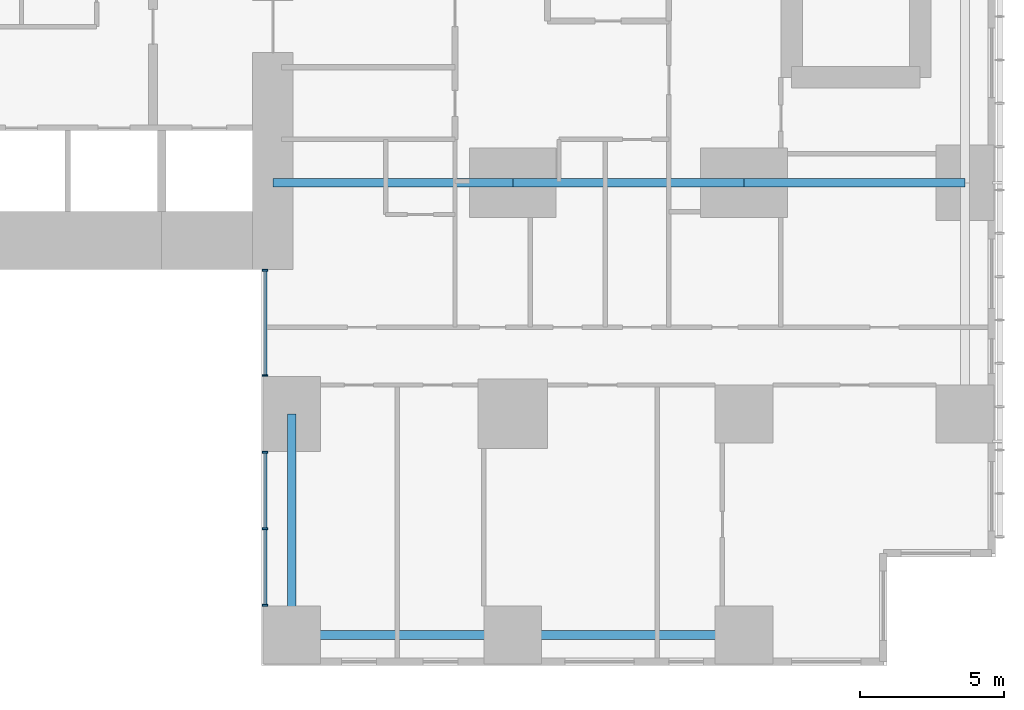
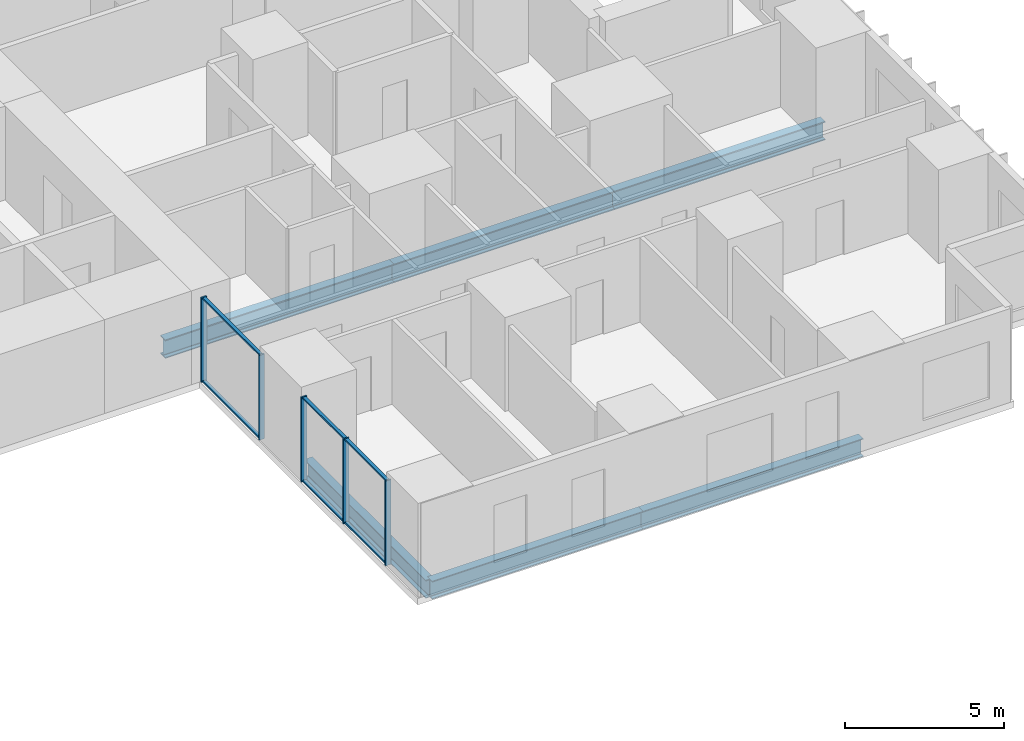
# One storey, part 3 of 20: 11 members, 6 beams, 2 elements without a shape of their own.
"""IFC4 building model written with IfcOpenShell, lengths in metres."""

from ifc_helpers import new_model, si_unit, direction, frame, origin, origin_2d, place, context, subcontext, project, spatial, rectangle, i_section, extrude, material, layer, layer_set, material_profile, profile_set, type_object, element, aggregate, save


model = new_model("IFC4")

# Units and contexts
model_context = context("Model", 3, precision=1e-05, world=origin(), true_north=direction((0.0, 1.0)))
body_context = subcontext(model_context, "Body", "Model", "MODEL_VIEW")
ifc_project = project(units=[si_unit("LENGTHUNIT", "METRE"), si_unit("AREAUNIT", "SQUARE_METRE"), si_unit("VOLUMEUNIT", "CUBIC_METRE"), si_unit("PLANEANGLEUNIT", "RADIAN"), si_unit("MASSUNIT", "GRAM", prefix="KILO")], contexts=[model_context])

# Site, building, storey
site_placement = place(None, origin())
site = spatial("IfcSite", under=ifc_project, at=site_placement, CompositionType="ELEMENT")
building_placement = place(site_placement, origin())
building = spatial("IfcBuilding", under=site, at=building_placement, Name="Cleftline Residences", CompositionType="ELEMENT")
storey_placement = place(building_placement, frame((0.0, 0.0, 168.199951171875)))
storey = spatial("IfcBuildingStorey", under=building, at=storey_placement, Name="L44", CompositionType="ELEMENT", Elevation=168.199951171875)

# Beams
ifc_material_1 = material(Name="Steel S355", Category="steel")
ifc_material_profile_1 = material_profile(ifc_material_1, i_section(OverallWidth=0.300048828125, OverallDepth=0.699951171875, WebThickness=0.01708984375, FlangeThickness=0.031982421875, FilletRadius=0.027099609375, at=origin_2d()))
ifc_profile_set_1 = profile_set([ifc_material_profile_1], Name="Steel S355")
beam_type_1 = type_object("IfcBeamType", Name="BEAM HEB 700", PredefinedType="BEAM", material=ifc_profile_set_1)
beam_1_placement = place(storey_placement, frame((58.0, 0.35009765625, -0.599853515625), z_axis=(-1.0, 0.0, 0.0), x_axis=(0.0, -1.0, 0.0)))
element("IfcBeam", 1, at=beam_1_placement, inside=storey, type_object=beam_type_1, Name="Edge beam", PredefinedType="BEAM", context=body_context, shape_type="SweptSolid", body=[
    extrude(i_section(OverallWidth=0.300048828125, OverallDepth=0.699951171875, WebThickness=0.01708984375, FlangeThickness=0.031982421875, FilletRadius=0.027099609375, at=origin_2d()), origin(), (0.0, 0.0, 1.0), 8.0),
])
for number, where, z_axis, x_axis, name in (
    (2, (50.0, 0.35009765625, -0.599853515625), (-1.0, 0.0, 0.0), (0.0, -1.0, 0.0), "Edge beam"),
    (3, (42.35009765625, 0.35009765625, -0.599853515625), (0.0, 1.0, 0.0), (-1.0, 0.0, 0.0), "Edge beam"),
):
    element("IfcBeam", number, at=place(storey_placement, frame(where, z_axis=z_axis, x_axis=x_axis)), inside=storey, type_object=beam_type_1, Name=name, PredefinedType="BEAM", context=body_context, shape_type="SweptSolid", body=[
        extrude(i_section(OverallWidth=0.300048828125, OverallDepth=0.699951171875, WebThickness=0.01708984375, FlangeThickness=0.031982421875, FilletRadius=0.027099609375, at=origin_2d()), origin(), (0.0, 0.0, 1.0), 7.64990234375),
    ])
ifc_material_2 = material(Name="Steel S355", Category="steel")
ifc_material_profile_2 = material_profile(ifc_material_2, i_section(OverallWidth=0.303955078125, OverallDepth=0.716064453125, WebThickness=0.02099609375, FlangeThickness=0.0400390625, FilletRadius=0.027099609375, at=origin_2d()))
ifc_profile_set_2 = profile_set([ifc_material_profile_2], Name="Steel S355")
beam_type_2 = type_object("IfcBeamType", Name="BEAM HEM 700", PredefinedType="BEAM", material=ifc_profile_set_2)
beam_2_placement = place(storey_placement, frame((65.64990234375, 16.0, -0.60791015625), z_axis=(-1.0, 0.0, 0.0), x_axis=(0.0, -1.0, 0.0)))
element("IfcBeam", 4, at=beam_2_placement, inside=storey, type_object=beam_type_2, Name="Band beam", PredefinedType="BEAM", context=body_context, shape_type="SweptSolid", body=[
    extrude(i_section(OverallWidth=0.303955078125, OverallDepth=0.716064453125, WebThickness=0.02099609375, FlangeThickness=0.0400390625, FilletRadius=0.027099609375, at=origin_2d()), origin(), (0.0, 0.0, 1.0), 7.64990234375),
])
beam_3_placement = place(storey_placement, frame((58.0, 16.0, -0.60791015625), z_axis=(-1.0, 0.0, 0.0), x_axis=(0.0, -1.0, 0.0)))
element("IfcBeam", 5, at=beam_3_placement, inside=storey, type_object=beam_type_2, Name="Band beam", PredefinedType="BEAM", context=body_context, shape_type="SweptSolid", body=[
    extrude(i_section(OverallWidth=0.303955078125, OverallDepth=0.716064453125, WebThickness=0.02099609375, FlangeThickness=0.0400390625, FilletRadius=0.027099609375, at=origin_2d()), origin(), (0.0, 0.0, 1.0), 8.0),
])
beam_4_placement = place(storey_placement, frame((50.0, 16.0, -0.60791015625), z_axis=(-1.0, 0.0, 0.0), x_axis=(0.0, -1.0, 0.0)))
element("IfcBeam", 6, at=beam_4_placement, inside=storey, type_object=beam_type_2, Name="Band beam", PredefinedType="BEAM", context=body_context, shape_type="SweptSolid", body=[
    extrude(i_section(OverallWidth=0.303955078125, OverallDepth=0.716064453125, WebThickness=0.02099609375, FlangeThickness=0.0400390625, FilletRadius=0.027099609375, at=origin_2d()), origin(), (0.0, 0.0, 1.0), 8.300048828125),
])

# Curtain wall, members
ifc_material_3 = material(Name="Aluminium framed curtain wall", Category="aluminium")
ifc_layer = layer(ifc_material_3, 0.199951171875)
ifc_layer_set = layer_set([ifc_layer], Name="CW1 CLEFT GLAZING")
curtain_wall_type = type_object("IfcCurtainWallType", Name="CW1 CLEFT GLAZING", PredefinedType="NOTDEFINED", material=ifc_layer_set)
curtain_wall_1_placement = place(storey_placement, origin())
curtain_wall_1 = element("IfcCurtainWall", 7, at=curtain_wall_1_placement, inside=storey, type_object=curtain_wall_type, Name="Curtain wall CW1", PredefinedType="NOTDEFINED")
ifc_material_4 = material(Name="Aluminium mullion", Category="aluminium")
ifc_material_profile_3 = material_profile(ifc_material_4, rectangle(XDim=0.199951171875, YDim=0.06005859375, at=origin_2d()))
ifc_profile_set_3 = profile_set([ifc_material_profile_3], Name="Aluminium mullion")
member_type_1 = type_object("IfcMemberType", Name="CW1 MULLION", PredefinedType="MULLION", material=ifc_profile_set_3)
member_1_placement = place(storey_placement, frame((41.425048828125, 12.969970703125, 0.0), z_axis=(0.0, 0.0, 1.0), x_axis=(1.0, 0.0, 0.0)))
member_1 = element("IfcMember", 8, at=member_1_placement, type_object=member_type_1, Name="CW1 mullion 1", PredefinedType="MULLION", context=body_context, shape_type="SweptSolid", body=[
    extrude(rectangle(XDim=0.199951171875, YDim=0.06005859375, at=origin_2d()), origin(), (0.0, 0.0, 1.0), 3.25),
])
member_2_placement = place(storey_placement, frame((41.425048828125, 9.330078125, 0.0), z_axis=(0.0, 0.0, 1.0), x_axis=(1.0, 0.0, 0.0)))
member_2 = element("IfcMember", 9, at=member_2_placement, type_object=member_type_1, Name="CW1 mullion 2", PredefinedType="MULLION", context=body_context, shape_type="SweptSolid", body=[
    extrude(rectangle(XDim=0.199951171875, YDim=0.06005859375, at=origin_2d()), origin(), (0.0, 0.0, 1.0), 3.25),
])

curtain_wall_2_placement = place(storey_placement, origin())
curtain_wall_2 = element("IfcCurtainWall", 10, at=curtain_wall_2_placement, inside=storey, type_object=curtain_wall_type, Name="Curtain wall CW1", PredefinedType="NOTDEFINED")
member_3_placement = place(storey_placement, frame((41.425048828125, 6.669921875, 0.0), z_axis=(0.0, 0.0, 1.0), x_axis=(1.0, 0.0, 0.0)))
member_3 = element("IfcMember", 11, at=member_3_placement, type_object=member_type_1, Name="CW1 mullion 1", PredefinedType="MULLION", context=body_context, shape_type="SweptSolid", body=[
    extrude(rectangle(XDim=0.199951171875, YDim=0.06005859375, at=origin_2d()), origin(), (0.0, 0.0, 1.0), 3.25),
])
member_4_placement = place(storey_placement, frame((41.425048828125, 4.02490234375, 0.0), z_axis=(0.0, 0.0, 1.0), x_axis=(1.0, 0.0, 0.0)))
member_4 = element("IfcMember", 12, at=member_4_placement, type_object=member_type_1, Name="CW1 mullion 2", PredefinedType="MULLION", context=body_context, shape_type="SweptSolid", body=[
    extrude(rectangle(XDim=0.199951171875, YDim=0.06005859375, at=origin_2d()), origin(), (0.0, 0.0, 1.0), 3.25),
])
member_5_placement = place(storey_placement, frame((41.425048828125, 1.3798828125, 0.0), z_axis=(0.0, 0.0, 1.0), x_axis=(1.0, 0.0, 0.0)))
member_5 = element("IfcMember", 13, at=member_5_placement, type_object=member_type_1, Name="CW1 mullion 3", PredefinedType="MULLION", context=body_context, shape_type="SweptSolid", body=[
    extrude(rectangle(XDim=0.199951171875, YDim=0.06005859375, at=origin_2d()), origin(), (0.0, 0.0, 1.0), 3.25),
])

# Member
ifc_material_5 = material(Name="Aluminium transom", Category="aluminium")
ifc_material_profile_4 = material_profile(ifc_material_5, rectangle(XDim=0.1201171875, YDim=0.06005859375, at=origin_2d()))
ifc_profile_set_4 = profile_set([ifc_material_profile_4], Name="Aluminium transom")
member_type_2 = type_object("IfcMemberType", Name="CW1 TRANSOM", PredefinedType="USERDEFINED", material=ifc_profile_set_4)
member_6_placement = place(storey_placement, frame((41.425048828125, 12.93994140625, 0.030029296875), z_axis=(0.0, -1.0, 0.0), x_axis=(1.0, 0.0, 0.0)))
member_6 = element("IfcMember", 14, at=member_6_placement, type_object=member_type_2, Name="CW1 transom 1.1", ObjectType="TRANSOM", PredefinedType="USERDEFINED", context=body_context, shape_type="SweptSolid", body=[
    extrude(rectangle(XDim=0.1201171875, YDim=0.06005859375, at=origin_2d()), origin(), (0.0, 0.0, 1.0), 3.579833984375),
])

member_7_placement = place(storey_placement, frame((41.425048828125, 12.93994140625, 3.219970703125), z_axis=(0.0, -1.0, 0.0), x_axis=(1.0, 0.0, 0.0)))
member_7 = element("IfcMember", 15, at=member_7_placement, type_object=member_type_2, Name="CW1 transom 1.2", ObjectType="TRANSOM", PredefinedType="USERDEFINED", context=body_context, shape_type="SweptSolid", body=[
    extrude(rectangle(XDim=0.1201171875, YDim=0.06005859375, at=origin_2d()), origin(), (0.0, 0.0, 1.0), 3.579833984375),
])

aggregate(curtain_wall_1, [member_1, member_2, member_6, member_7])

member_8_placement = place(storey_placement, frame((41.425048828125, 6.639892578125, 0.030029296875), z_axis=(0.0, -1.0, 0.0), x_axis=(1.0, 0.0, 0.0)))
member_8 = element("IfcMember", 16, at=member_8_placement, type_object=member_type_2, Name="CW1 transom 1.1", ObjectType="TRANSOM", PredefinedType="USERDEFINED", context=body_context, shape_type="SweptSolid", body=[
    extrude(rectangle(XDim=0.1201171875, YDim=0.06005859375, at=origin_2d()), origin(), (0.0, 0.0, 1.0), 2.5849609375),
])

member_9_placement = place(storey_placement, frame((41.425048828125, 6.639892578125, 3.219970703125), z_axis=(0.0, -1.0, 0.0), x_axis=(1.0, 0.0, 0.0)))
member_9 = element("IfcMember", 17, at=member_9_placement, type_object=member_type_2, Name="CW1 transom 1.2", ObjectType="TRANSOM", PredefinedType="USERDEFINED", context=body_context, shape_type="SweptSolid", body=[
    extrude(rectangle(XDim=0.1201171875, YDim=0.06005859375, at=origin_2d()), origin(), (0.0, 0.0, 1.0), 2.5849609375),
])

member_10_placement = place(storey_placement, frame((41.425048828125, 3.9951171875, 0.030029296875), z_axis=(0.0, -1.0, 0.0), x_axis=(1.0, 0.0, 0.0)))
member_10 = element("IfcMember", 18, at=member_10_placement, type_object=member_type_2, Name="CW1 transom 2.1", ObjectType="TRANSOM", PredefinedType="USERDEFINED", context=body_context, shape_type="SweptSolid", body=[
    extrude(rectangle(XDim=0.1201171875, YDim=0.06005859375, at=origin_2d()), origin(), (0.0, 0.0, 1.0), 2.585205078125),
])

member_11_placement = place(storey_placement, frame((41.425048828125, 3.9951171875, 3.219970703125), z_axis=(0.0, -1.0, 0.0), x_axis=(1.0, 0.0, 0.0)))
member_11 = element("IfcMember", 19, at=member_11_placement, type_object=member_type_2, Name="CW1 transom 2.2", ObjectType="TRANSOM", PredefinedType="USERDEFINED", context=body_context, shape_type="SweptSolid", body=[
    extrude(rectangle(XDim=0.1201171875, YDim=0.06005859375, at=origin_2d()), origin(), (0.0, 0.0, 1.0), 2.585205078125),
])

aggregate(curtain_wall_2, [member_3, member_4, member_5, member_8, member_9, member_10, member_11])

save(model, "model.ifc")
